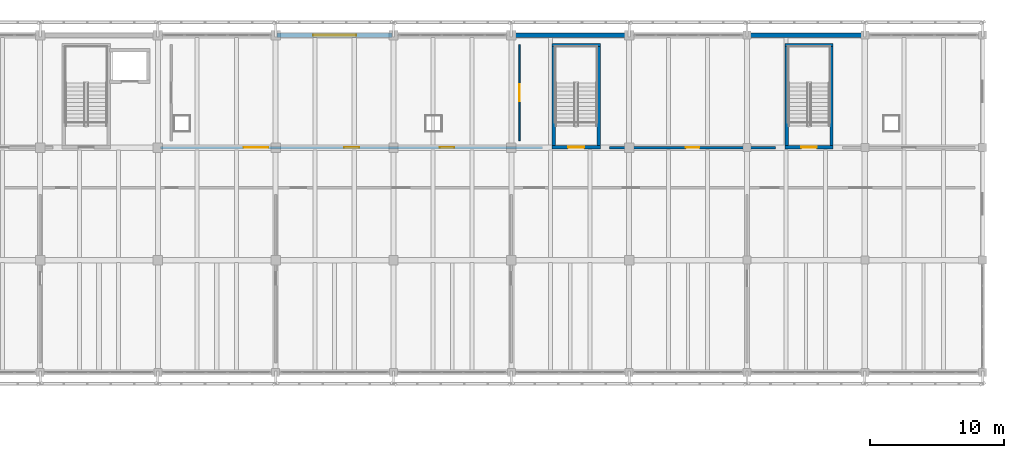
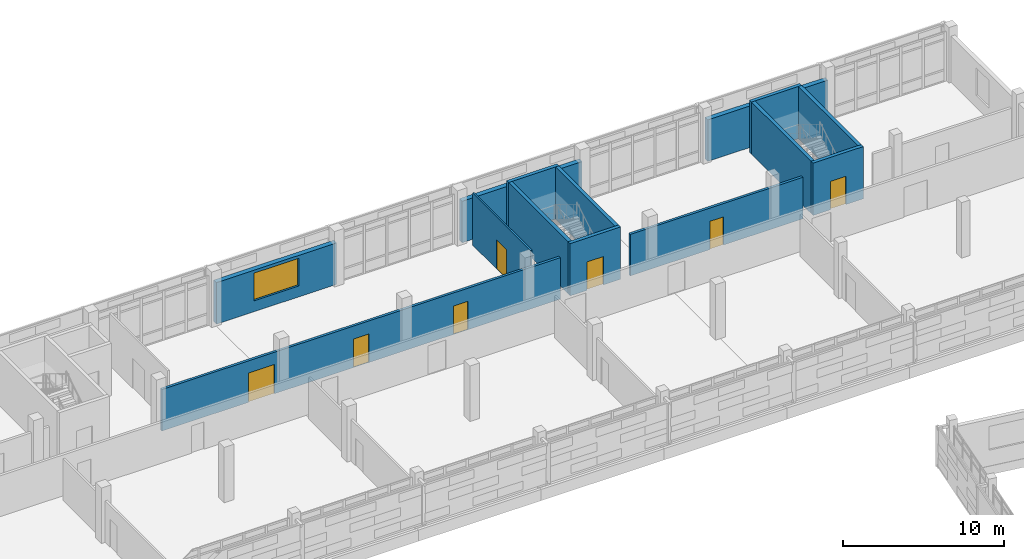
# One storey, part 113 of 137: 14 walls, 7 doors, 1 window, 8 openings.
"""IFC4 building model written with IfcOpenShell, lengths in metres."""

from ifc_helpers import new_model, si_unit, direction, frame, frame_2d, origin, place, context, subcontext, project, spatial, rectangle, extrude, material, layer, layer_set, type_object, element, fill, save


model = new_model("IFC4")

# Units and contexts
model_context = context("Model", 3, precision=1e-05, world=origin(), true_north=direction((0.0, 1.0)))
body_context = subcontext(model_context, "Body", "Model", "MODEL_VIEW")
ifc_project = project(units=[si_unit("LENGTHUNIT", "METRE"), si_unit("AREAUNIT", "SQUARE_METRE"), si_unit("VOLUMEUNIT", "CUBIC_METRE"), si_unit("PLANEANGLEUNIT", "RADIAN"), si_unit("MASSUNIT", "GRAM", prefix="KILO")], contexts=[model_context])

# Site, building, storey
site_placement = place(None, origin())
site = spatial("IfcSite", under=ifc_project, at=site_placement, CompositionType="ELEMENT")
building_placement = place(site_placement, origin())
building = spatial("IfcBuilding", under=site, at=building_placement, Name="Cinderway Yard Community Centre", CompositionType="ELEMENT")
storey_placement = place(building_placement, frame((0.0, 0.0, 4.800048828125)))
storey = spatial("IfcBuildingStorey", under=building, at=storey_placement, Name="L01", CompositionType="ELEMENT", Elevation=4.800048828125)

# Wall, opening, window
ifc_material_1 = material(Name="Brick Masonry", Category="masonry")
ifc_layer_1 = layer(ifc_material_1, 0.340087890625, Name="Brick Masonry")
ifc_layer_set_1 = layer_set([ifc_layer_1], Name="Brick Masonry")
wall_type_1 = type_object("IfcWallType", Name="ENV-WAL-EXT340", PredefinedType="SOLIDWALL", material=ifc_layer_set_1)
wall_1_placement = place(storey_placement, frame((92.89990234375, 115.199951171875, 0.0), z_axis=(0.0, 0.0, 1.0), x_axis=(1.0, 0.0, 0.0)))
wall_1 = element("IfcWall", 1, at=wall_1_placement, inside=storey, type_object=wall_type_1, Name="V4 Street Brick Facade Wall ENV-WAL-L01-0149", PredefinedType="SOLIDWALL", context=body_context, shape_type="SweptSolid", body=[
    extrude(rectangle(XDim=8.60009765625, YDim=0.340087890625, at=frame_2d((4.300048828125, 0.0))), origin(), (0.0, 0.0, 1.0), 3.14501953125),
])
opening_1_placement = place(wall_1_placement, frame((2.699951171875, 0.0, 0.824951171875)))
opening_1 = element("IfcOpeningElement", 2, at=opening_1_placement, cuts=wall_1, Name="Opening W-18", PredefinedType="OPENING", context=body_context, shape_type="SweptSolid", body=[
    extrude(rectangle(XDim=3.199951171875, YDim=2.10009765625, at=frame_2d((1.60009765625, 1.050048828125))), frame((0.0, 0.179931640625, 0.0), z_axis=(0.0, -1.0, 0.0), x_axis=(1.0, 0.0, 0.0)), (0.0, 0.0, 1.0), 0.360107421875),
])
ifc_material_2 = material(Name="Laminated Low-E Glass", Category="glass")
window_type = type_object("IfcWindowType", Name="ENV-WIN-W18", PartitioningType="TRIPLE_PANEL_VERTICAL", PredefinedType="WINDOW", material=ifc_material_2)
window_placement = place(opening_1_placement, origin())
window = element("IfcWindow", 3, at=window_placement, inside=storey, type_object=window_type, Name="Exterior window ENV-WIN-L01-0102", OverallHeight=2.10009765625, OverallWidth=3.199951171875, PartitioningType="SINGLE_PANEL", PredefinedType="WINDOW", context=body_context, shape_type="SweptSolid", body=[
    extrude(rectangle(XDim=3.199951171875, YDim=2.10009765625, at=frame_2d((1.60009765625, 1.050048828125))), frame((0.0, 0.030029296875, 0.0), z_axis=(0.0, -1.0, 0.0), x_axis=(1.0, 0.0, 0.0)), (0.0, 0.0, 1.0), 0.06005859375),
])
fill(opening_1, window)

# Walls
wall_2_placement = place(storey_placement, frame((110.5, 115.199951171875, 0.0), z_axis=(0.0, 0.0, 1.0), x_axis=(1.0, 0.0, 0.0)))
element("IfcWall", 4, at=wall_2_placement, inside=storey, type_object=wall_type_1, Name="V4 Street Brick Facade Wall ENV-WAL-L01-0150", PredefinedType="SOLIDWALL", context=body_context, shape_type="SweptSolid", body=[
    extrude(rectangle(XDim=8.60009765625, YDim=0.340087890625, at=frame_2d((4.300048828125, 0.0))), origin(), (0.0, 0.0, 1.0), 3.14501953125),
])
wall_3_placement = place(storey_placement, frame((128.10009765625, 115.199951171875, 0.0), z_axis=(0.0, 0.0, 1.0), x_axis=(1.0, 0.0, 0.0)))
element("IfcWall", 5, at=wall_3_placement, inside=storey, type_object=wall_type_1, Name="V4 Street Brick Facade Wall ENV-WAL-L01-0151", PredefinedType="SOLIDWALL", context=body_context, shape_type="SweptSolid", body=[
    extrude(rectangle(XDim=8.599853515625, YDim=0.340087890625, at=frame_2d((4.2998046875, 0.0))), origin(), (0.0, 0.0, 1.0), 3.14501953125),
])

# Wall, opening, door
ifc_material_3 = material(Name="Gypsum Board Partition", Category="gypsum")
ifc_layer_2 = layer(ifc_material_3, 0.1201171875, Name="Gypsum Board Partition")
ifc_layer_set_2 = layer_set([ifc_layer_2], Name="Gypsum Board Partition")
wall_type_2 = type_object("IfcWallType", Name="INT-WAL-PRT120", PredefinedType="PARTITIONING", material=ifc_layer_set_2)
wall_4_placement = place(storey_placement, frame((111.0, 107.300048828125, 0.0), z_axis=(0.0, 0.0, 1.0), x_axis=(0.0, 1.0, 0.0)))
wall_4 = element("IfcWall", 6, at=wall_4_placement, inside=storey, type_object=wall_type_2, Name="V4 L01 North Room Partition INT-PRT-L01-0304", PredefinedType="PARTITIONING", context=body_context, shape_type="SweptSolid", body=[
    extrude(rectangle(XDim=7.199951171875, YDim=0.1201171875, at=frame_2d((3.60009765625, 0.0))), origin(), (0.0, 0.0, 1.0), 3.945068359375),
])
opening_2_placement = place(wall_4_placement, frame((2.97998046875, 0.0, 0.0)))
opening_2 = element("IfcOpeningElement", 7, at=opening_2_placement, cuts=wall_4, Name="Opening D-14", PredefinedType="OPENING", context=body_context, shape_type="SweptSolid", body=[
    extrude(rectangle(XDim=1.239990234375, YDim=2.199951171875, at=frame_2d((0.6201171875, 1.10009765625))), frame((0.0, 0.070068359375, 0.0), z_axis=(0.0, -1.0, 0.0), x_axis=(1.0, 0.0, 0.0)), (0.0, 0.0, 1.0), 0.14013671875),
])
ifc_material_4 = material(Name="Hardwood Timber", Category="wood")
door_type_1 = type_object("IfcDoorType", Name="INT-DOR-STU124", OperationType="NOTDEFINED", PredefinedType="DOOR", material=ifc_material_4)
door_1_placement = place(opening_2_placement, origin())
door_1 = element("IfcDoor", 8, at=door_1_placement, inside=storey, type_object=door_type_1, Name="Room door INT-DOR-L01-0194", OperationType="SINGLE_SWING_LEFT", OverallHeight=2.199951171875, OverallWidth=1.239990234375, PredefinedType="DOOR", context=body_context, shape_type="SweptSolid", body=[
    extrude(rectangle(XDim=1.239990234375, YDim=2.199951171875, at=frame_2d((0.6201171875, 1.10009765625))), frame((0.0, 0.02490234375, 0.0), z_axis=(0.0, -1.0, 0.0), x_axis=(1.0, 0.0, 0.0)), (0.0, 0.0, 1.0), 0.050048828125),
])
fill(opening_2, door_1)

# Wall, openings, doors
ifc_layer_3 = layer(ifc_material_1, 0.179931640625, Name="Brick Masonry")
ifc_layer_set_3 = layer_set([ifc_layer_3], Name="Brick Masonry")
wall_type_3 = type_object("IfcWallType", Name="INT-WAL-PRT180", PredefinedType="PARTITIONING", material=ifc_layer_set_3)
wall_5_placement = place(storey_placement, frame((84.199951171875, 106.800048828125, 0.0), z_axis=(0.0, 0.0, 1.0), x_axis=(1.0, 0.0, 0.0)))
wall_5 = element("IfcWall", 9, at=wall_5_placement, inside=storey, type_object=wall_type_3, Name="V4 L01 North Corridor Spine INT-PRT-L01-0294", PredefinedType="PARTITIONING", context=body_context, shape_type="SweptSolid", body=[
    extrude(rectangle(XDim=28.530029296875, YDim=0.179931640625, at=frame_2d((14.26513671875, 0.0))), origin(), (0.0, 0.0, 1.0), 3.14501953125),
])
opening_3_placement = place(wall_5_placement, frame((6.2080078125, 0.0, 0.0)))
opening_3 = element("IfcOpeningElement", 10, at=opening_3_placement, cuts=wall_5, Name="Opening D-02", PredefinedType="OPENING", context=body_context, shape_type="SweptSolid", body=[
    extrude(rectangle(XDim=1.85009765625, YDim=2.219970703125, at=frame_2d((0.925048828125, 1.10986328125))), frame((0.0, 0.099853515625, 0.0), z_axis=(0.0, -1.0, 0.0), x_axis=(1.0, 0.0, 0.0)), (0.0, 0.0, 1.0), 0.199951171875),
])
opening_4_placement = place(wall_5_placement, frame((13.705078125, 0.0, 0.0)))
opening_4 = element("IfcOpeningElement", 11, at=opening_4_placement, cuts=wall_5, Name="Opening D-03", PredefinedType="OPENING", context=body_context, shape_type="SweptSolid", body=[
    extrude(rectangle(XDim=1.1201171875, YDim=2.159912109375, at=frame_2d((0.56005859375, 1.080078125))), frame((0.0, 0.099853515625, 0.0), z_axis=(0.0, -1.0, 0.0), x_axis=(1.0, 0.0, 0.0)), (0.0, 0.0, 1.0), 0.199951171875),
])
opening_5_placement = place(wall_5_placement, frame((20.866943359375, 0.0, 0.0)))
opening_5 = element("IfcOpeningElement", 12, at=opening_5_placement, cuts=wall_5, Name="Opening D-04", PredefinedType="OPENING", context=body_context, shape_type="SweptSolid", body=[
    extrude(rectangle(XDim=1.06005859375, YDim=2.159912109375, at=frame_2d((0.530029296875, 1.080078125))), frame((0.0, 0.099853515625, 0.0), z_axis=(0.0, -1.0, 0.0), x_axis=(1.0, 0.0, 0.0)), (0.0, 0.0, 1.0), 0.199951171875),
])
door_type_2 = type_object("IfcDoorType", Name="INT-DOR-CLS106", OperationType="NOTDEFINED", PredefinedType="DOOR", material=ifc_material_4)
door_2_placement = place(opening_5_placement, origin())
door_2 = element("IfcDoor", 13, at=door_2_placement, inside=storey, type_object=door_type_2, Name="Room door INT-DOR-L01-0184", OperationType="SINGLE_SWING_RIGHT", OverallHeight=2.159912109375, OverallWidth=1.06005859375, PredefinedType="DOOR", context=body_context, shape_type="SweptSolid", body=[
    extrude(rectangle(XDim=1.06005859375, YDim=2.159912109375, at=frame_2d((0.530029296875, 1.080078125))), frame((0.0, 0.02490234375, 0.0), z_axis=(0.0, -1.0, 0.0), x_axis=(1.0, 0.0, 0.0)), (0.0, 0.0, 1.0), 0.050048828125),
])
fill(opening_5, door_2)
door_type_3 = type_object("IfcDoorType", Name="INT-DOR-CLS112", OperationType="NOTDEFINED", PredefinedType="DOOR", material=ifc_material_4)
door_3_placement = place(opening_4_placement, origin())
door_3 = element("IfcDoor", 14, at=door_3_placement, inside=storey, type_object=door_type_3, Name="Room door INT-DOR-L01-0183", OperationType="SINGLE_SWING_LEFT", OverallHeight=2.159912109375, OverallWidth=1.1201171875, PredefinedType="DOOR", context=body_context, shape_type="SweptSolid", body=[
    extrude(rectangle(XDim=1.1201171875, YDim=2.159912109375, at=frame_2d((0.56005859375, 1.080078125))), frame((0.0, 0.02490234375, 0.0), z_axis=(0.0, -1.0, 0.0), x_axis=(1.0, 0.0, 0.0)), (0.0, 0.0, 1.0), 0.050048828125),
])
fill(opening_4, door_3)
door_type_4 = type_object("IfcDoorType", Name="INT-DOR-HAL185", OperationType="DOUBLE_DOOR_SINGLE_SWING", PredefinedType="DOOR", material=ifc_material_4)
door_4_placement = place(opening_3_placement, origin())
door_4 = element("IfcDoor", 15, at=door_4_placement, inside=storey, type_object=door_type_4, Name="Room door INT-DOR-L01-0182", OperationType="DOUBLE_DOOR_SINGLE_SWING", OverallHeight=2.219970703125, OverallWidth=1.85009765625, PredefinedType="DOOR", context=body_context, shape_type="SweptSolid", body=[
    extrude(rectangle(XDim=1.85009765625, YDim=2.219970703125, at=frame_2d((0.925048828125, 1.10986328125))), frame((0.0, 0.02490234375, 0.0), z_axis=(0.0, -1.0, 0.0), x_axis=(1.0, 0.0, 0.0)), (0.0, 0.0, 1.0), 0.050048828125),
])
fill(opening_3, door_4)

# Wall, opening, door
wall_6_placement = place(storey_placement, frame((117.75, 106.800048828125, 0.0), z_axis=(0.0, 0.0, 1.0), x_axis=(1.0, 0.0, 0.0)))
wall_6 = element("IfcWall", 16, at=wall_6_placement, inside=storey, type_object=wall_type_3, Name="V4 L01 North Corridor Spine INT-PRT-L01-0295", PredefinedType="PARTITIONING", context=body_context, shape_type="SweptSolid", body=[
    extrude(rectangle(XDim=12.3798828125, YDim=0.179931640625, at=frame_2d((6.18994140625, 0.0))), origin(), (0.0, 0.0, 1.0), 3.14501953125),
])
opening_6_placement = place(wall_6_placement, frame((5.68994140625, 0.0, 0.0)))
opening_6 = element("IfcOpeningElement", 17, at=opening_6_placement, cuts=wall_6, Name="Opening D-05", PredefinedType="OPENING", context=body_context, shape_type="SweptSolid", body=[
    extrude(rectangle(XDim=1.0, YDim=2.139892578125, at=frame_2d((0.5, 1.06982421875))), frame((0.0, 0.099853515625, 0.0), z_axis=(0.0, -1.0, 0.0), x_axis=(1.0, 0.0, 0.0)), (0.0, 0.0, 1.0), 0.199951171875),
])
door_type_5 = type_object("IfcDoorType", Name="INT-DOR-CLS100", OperationType="NOTDEFINED", PredefinedType="DOOR", material=ifc_material_4)
door_5_placement = place(opening_6_placement, origin())
door_5 = element("IfcDoor", 18, at=door_5_placement, inside=storey, type_object=door_type_5, Name="Room door INT-DOR-L01-0185", OperationType="SINGLE_SWING_LEFT", OverallHeight=2.139892578125, OverallWidth=1.0, PredefinedType="DOOR", context=body_context, shape_type="SweptSolid", body=[
    extrude(rectangle(XDim=1.0, YDim=2.139892578125, at=frame_2d((0.5, 1.06982421875))), frame((0.0, 0.02490234375, 0.0), z_axis=(0.0, -1.0, 0.0), x_axis=(1.0, 0.0, 0.0)), (0.0, 0.0, 1.0), 0.050048828125),
])
fill(opening_6, door_5)

ifc_material_5 = material(Name="Concrete C40/50", Category="concrete")
ifc_layer_4 = layer(ifc_material_5, 0.25, Name="Concrete C40/50")
ifc_layer_set_4 = layer_set([ifc_layer_4], Name="Concrete C40/50")
wall_type_4 = type_object("IfcWallType", Name="INT-WAL-SHR250", PredefinedType="SHEAR", material=ifc_layer_set_4)
wall_7_placement = place(storey_placement, frame((117.044921875, 106.830078125, 0.0), z_axis=(0.0, 0.0, 1.0), x_axis=(-1.0, 0.0, 0.0)))
wall_7 = element("IfcWall", 19, at=wall_7_placement, inside=storey, type_object=wall_type_4, Name="Stair ST-03 Entry Wall INT-WAL-L01-0089", PredefinedType="SHEAR", context=body_context, shape_type="SweptSolid", body=[
    extrude(rectangle(XDim=3.60986328125, YDim=0.25, at=frame_2d((1.804931640625, 0.0))), origin(), (0.0, 0.0, 1.0), 3.9599609375),
])
opening_7_placement = place(wall_7_placement, frame((1.205078125, 0.0, 0.0)))
opening_7 = element("IfcOpeningElement", 20, at=opening_7_placement, cuts=wall_7, Name="Opening D-ST1", PredefinedType="OPENING", context=body_context, shape_type="SweptSolid", body=[
    extrude(rectangle(XDim=1.199951171875, YDim=2.14990234375, at=frame_2d((0.60009765625, 1.074951171875))), frame((0.0, 0.135009765625, 0.0), z_axis=(0.0, -1.0, 0.0), x_axis=(1.0, 0.0, 0.0)), (0.0, 0.0, 1.0), 0.27001953125),
])
ifc_material_6 = material(Name="Painted Galvanised Steel", Category="steel")
door_type_6 = type_object("IfcDoorType", Name="INT-DOR-ST120", OperationType="NOTDEFINED", PredefinedType="DOOR", material=ifc_material_6)
door_6_placement = place(opening_7_placement, origin())
door_6 = element("IfcDoor", 21, at=door_6_placement, inside=storey, type_object=door_type_6, Name="Core door INT-DOR-L01-0026", OperationType="SINGLE_SWING_RIGHT", OverallHeight=2.14990234375, OverallWidth=1.199951171875, PredefinedType="DOOR", context=body_context, shape_type="SweptSolid", body=[
    extrude(rectangle(XDim=1.199951171875, YDim=2.14990234375, at=frame_2d((0.60009765625, 1.074951171875))), frame((0.0, 0.02490234375, 0.0), z_axis=(0.0, -1.0, 0.0), x_axis=(1.0, 0.0, 0.0)), (0.0, 0.0, 1.0), 0.050048828125),
])
fill(opening_7, door_6)

# Walls
wall_8_placement = place(storey_placement, frame((113.43505859375, 114.469970703125, 0.0), z_axis=(0.0, 0.0, 1.0), x_axis=(1.0, 0.0, 0.0)))
element("IfcWall", 22, at=wall_8_placement, inside=storey, type_object=wall_type_4, Name="Stair ST-03 Back Wall INT-WAL-L01-0090", PredefinedType="SHEAR", context=body_context, shape_type="SweptSolid", body=[
    extrude(rectangle(XDim=3.60986328125, YDim=0.25, at=frame_2d((1.804931640625, 0.0))), origin(), (0.0, 0.0, 1.0), 3.9599609375),
])
for number, where, z_axis, x_axis, name in (
    (23, (113.56005859375, 106.955078125, 0.0), (0.0, 0.0, 1.0), (0.0, 1.0, 0.0), "Stair ST-03 Side Wall L INT-WAL-L01-0091"),
    (24, (116.919921875, 114.344970703125, 0.0), (0.0, 0.0, 1.0), (0.0, -1.0, 0.0), "Stair ST-03 Side Wall R INT-WAL-L01-0092"),
):
    element("IfcWall", number, at=place(storey_placement, frame(where, z_axis=z_axis, x_axis=x_axis)), inside=storey, type_object=wall_type_4, Name=name, PredefinedType="SHEAR", context=body_context, shape_type="SweptSolid", body=[
        extrude(rectangle(XDim=7.389892578125, YDim=0.25, at=frame_2d((3.69482421875, 0.0))), origin(), (0.0, 0.0, 1.0), 3.9599609375),
    ])

# Wall, opening, door
wall_9_placement = place(storey_placement, frame((134.445068359375, 106.830078125, 0.0), z_axis=(0.0, 0.0, 1.0), x_axis=(-1.0, 0.0, 0.0)))
wall_9 = element("IfcWall", 25, at=wall_9_placement, inside=storey, type_object=wall_type_4, Name="Stair ST-04 Entry Wall INT-WAL-L01-0113", PredefinedType="SHEAR", context=body_context, shape_type="SweptSolid", body=[
    extrude(rectangle(XDim=3.610107421875, YDim=0.25, at=frame_2d((1.80517578125, 0.0))), origin(), (0.0, 0.0, 1.0), 3.9599609375),
])
opening_8_placement = place(wall_9_placement, frame((1.235107421875, 0.0, 0.0)))
opening_8 = element("IfcOpeningElement", 26, at=opening_8_placement, cuts=wall_9, Name="Opening D-ST2", PredefinedType="OPENING", context=body_context, shape_type="SweptSolid", body=[
    extrude(rectangle(XDim=1.139892578125, YDim=2.14990234375, at=frame_2d((0.56982421875, 1.074951171875))), frame((0.0, 0.135009765625, 0.0), z_axis=(0.0, -1.0, 0.0), x_axis=(1.0, 0.0, 0.0)), (0.0, 0.0, 1.0), 0.27001953125),
])
door_type_7 = type_object("IfcDoorType", Name="INT-DOR-ST114", OperationType="NOTDEFINED", PredefinedType="DOOR", material=ifc_material_6)
door_7_placement = place(opening_8_placement, origin())
door_7 = element("IfcDoor", 27, at=door_7_placement, inside=storey, type_object=door_type_7, Name="Core door INT-DOR-L01-0032", OperationType="SINGLE_SWING_RIGHT", OverallHeight=2.14990234375, OverallWidth=1.139892578125, PredefinedType="DOOR", context=body_context, shape_type="SweptSolid", body=[
    extrude(rectangle(XDim=1.139892578125, YDim=2.14990234375, at=frame_2d((0.56982421875, 1.074951171875))), frame((0.0, 0.02490234375, 0.0), z_axis=(0.0, -1.0, 0.0), x_axis=(1.0, 0.0, 0.0)), (0.0, 0.0, 1.0), 0.050048828125),
])
fill(opening_8, door_7)

# Walls
wall_10_placement = place(storey_placement, frame((130.8349609375, 114.469970703125, 0.0), z_axis=(0.0, 0.0, 1.0), x_axis=(1.0, 0.0, 0.0)))
element("IfcWall", 28, at=wall_10_placement, inside=storey, type_object=wall_type_4, Name="Stair ST-04 Back Wall INT-WAL-L01-0114", PredefinedType="SHEAR", context=body_context, shape_type="SweptSolid", body=[
    extrude(rectangle(XDim=3.610107421875, YDim=0.25, at=frame_2d((1.80517578125, 0.0))), origin(), (0.0, 0.0, 1.0), 3.9599609375),
])
for number, where, z_axis, x_axis, name in (
    (29, (130.9599609375, 106.955078125, 0.0), (0.0, 0.0, 1.0), (0.0, 1.0, 0.0), "Stair ST-04 Side Wall L INT-WAL-L01-0115"),
    (30, (134.320068359375, 114.344970703125, 0.0), (0.0, 0.0, 1.0), (0.0, -1.0, 0.0), "Stair ST-04 Side Wall R INT-WAL-L01-0116"),
):
    element("IfcWall", number, at=place(storey_placement, frame(where, z_axis=z_axis, x_axis=x_axis)), inside=storey, type_object=wall_type_4, Name=name, PredefinedType="SHEAR", context=body_context, shape_type="SweptSolid", body=[
        extrude(rectangle(XDim=7.389892578125, YDim=0.25, at=frame_2d((3.69482421875, 0.0))), origin(), (0.0, 0.0, 1.0), 3.9599609375),
    ])

save(model, "model.ifc")
